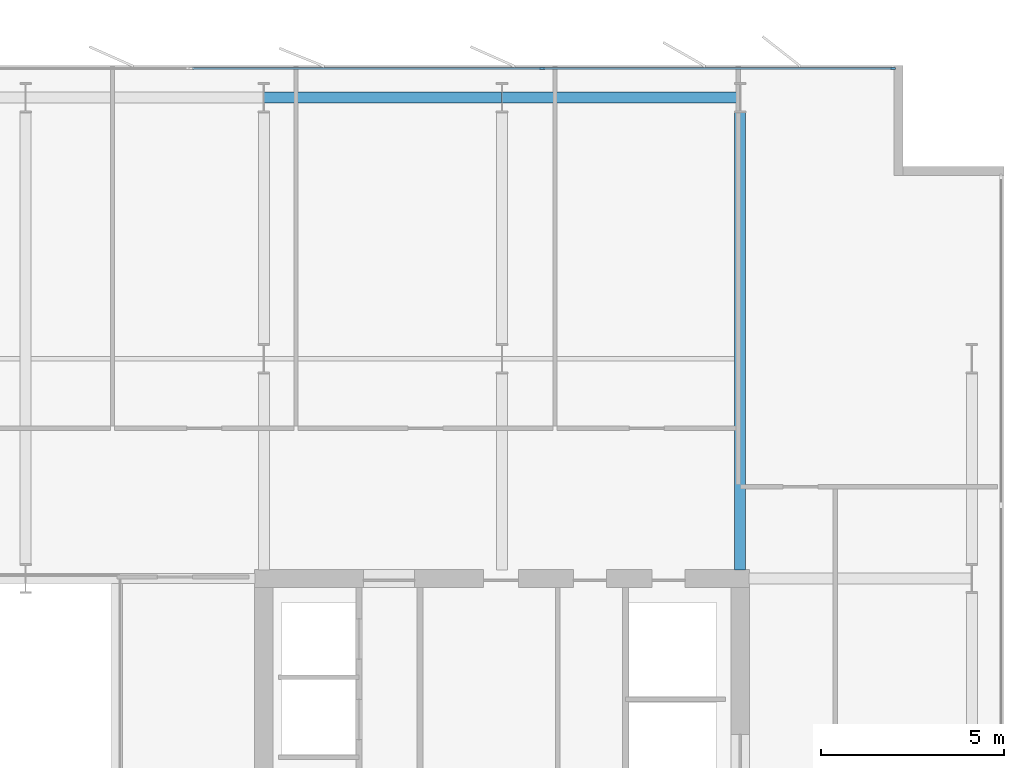
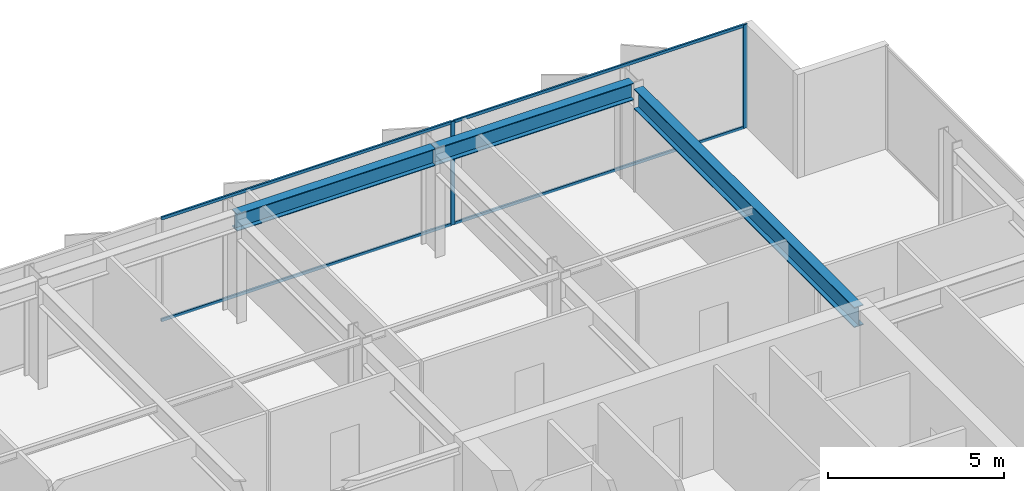
# One storey, part 13 of 23: 6 members, 3 beams, 1 element without a shape of its own.
"""IFC4 building model written with IfcOpenShell, lengths in metres."""

from ifc_helpers import new_model, si_unit, direction, frame, origin, origin_2d, place, context, subcontext, project, spatial, rectangle, i_section, extrude, material, layer, layer_set, material_profile, profile_set, type_object, element, aggregate, save


model = new_model("IFC4")

# Units and contexts
model_context = context("Model", 3, precision=1e-05, world=origin(), true_north=direction((0.0, 1.0)))
body_context = subcontext(model_context, "Body", "Model", "MODEL_VIEW")
ifc_project = project(units=[si_unit("LENGTHUNIT", "METRE"), si_unit("AREAUNIT", "SQUARE_METRE"), si_unit("VOLUMEUNIT", "CUBIC_METRE"), si_unit("PLANEANGLEUNIT", "RADIAN"), si_unit("MASSUNIT", "GRAM", prefix="KILO")], contexts=[model_context])

# Site, building, storey
site_placement = place(None, origin())
site = spatial("IfcSite", under=ifc_project, at=site_placement, CompositionType="ELEMENT")
building_placement = place(site_placement, origin())
building = spatial("IfcBuilding", under=site, at=building_placement, Name="Putna Gate Headquarters", CompositionType="ELEMENT")
storey_placement = place(building_placement, frame((0.0, 0.0, 232.800048828125)))
storey = spatial("IfcBuildingStorey", under=building, at=storey_placement, Name="L58", CompositionType="ELEMENT", Elevation=232.800048828125)

# Beams
ifc_material_1 = material(Name="Steel S355J2", Category="steel")
ifc_material_profile_1 = material_profile(ifc_material_1, i_section(OverallWidth=0.300048828125, OverallDepth=0.699951171875, WebThickness=0.01708984375, FlangeThickness=0.031982421875, at=origin_2d()), Name="Steel S355J2")
ifc_profile_set_1 = profile_set([ifc_material_profile_1], Name="Steel S355J2")
beam_type_1 = type_object("IfcBeamType", Name="BM-GIRD-B-HEB700", PredefinedType="USERDEFINED", material=ifc_profile_set_1)
beam_placement = place(storey_placement, frame((65.0, 33.235107421875, 3.22998046875), z_axis=(0.0, 1.0, 0.0), x_axis=(-1.0, 0.0, 0.0)))
element("IfcBeam", 1, at=beam_placement, inside=storey, type_object=beam_type_1, Name="L58 North Primary Girder X65", ObjectType="GIRDER", PredefinedType="USERDEFINED", context=body_context, shape_type="SweptSolid", body=[
    extrude(i_section(OverallWidth=0.300048828125, OverallDepth=0.699951171875, WebThickness=0.01708984375, FlangeThickness=0.031982421875, at=origin_2d()), origin(), (0.0, 0.0, 1.0), 12.489990234375),
])
ifc_material_profile_2 = material_profile(ifc_material_1, i_section(OverallWidth=0.300048828125, OverallDepth=0.590087890625, WebThickness=0.012939453125, FlangeThickness=0.02490234375, at=origin_2d()), Name="Steel S355J2")
ifc_profile_set_2 = profile_set([ifc_material_profile_2], Name="Steel S355J2")
beam_type_2 = type_object("IfcBeamType", Name="BM-SPAN-Z4-HEA600", PredefinedType="SPANDREL", material=ifc_profile_set_2)
for number, where, z_axis, x_axis, name in (
    (2, (52.006103515625, 46.1201171875, 3.284912109375), (1.0, 0.0, 0.0), (0.0, 1.0, 0.0), "L58 N Perimeter Spandrel 7"),
    (3, (58.506103515625, 46.1201171875, 3.284912109375), (1.0, 0.0, 0.0), (0.0, 1.0, 0.0), "L58 N Perimeter Spandrel 8"),
):
    element("IfcBeam", number, at=place(storey_placement, frame(where, z_axis=z_axis, x_axis=x_axis)), inside=storey, type_object=beam_type_2, Name=name, PredefinedType="SPANDREL", context=body_context, shape_type="SweptSolid", body=[
        extrude(i_section(OverallWidth=0.300048828125, OverallDepth=0.590087890625, WebThickness=0.012939453125, FlangeThickness=0.02490234375, at=origin_2d()), origin(), (0.0, 0.0, 1.0), 6.48779296875),
    ])

# Curtain wall, members
ifc_material_2 = material(Name="Anodised bronze aluminium curtain wall", Category="aluminium")
ifc_layer = layer(ifc_material_2, 0.139892578125)
ifc_layer_set = layer_set([ifc_layer], Name="Anodised bronze aluminium curtain wall")
curtain_wall_type = type_object("IfcCurtainWallType", Name="CW-SYS-Z4", PredefinedType="USERDEFINED", material=ifc_layer_set)
curtain_wall_placement = place(storey_placement, origin())
curtain_wall = element("IfcCurtainWall", 4, at=curtain_wall_placement, inside=storey, type_object=curtain_wall_type, Name="L58 North East Curtain Wall", ObjectType="STICK CURTAIN WALL", PredefinedType="USERDEFINED")
ifc_material_3 = material(Name="Anodised bronze aluminium EN AW-6060", Category="aluminium")
ifc_material_profile_3 = material_profile(ifc_material_3, rectangle(XDim=0.06005859375, YDim=0.139892578125, at=origin_2d()), Name="Anodised bronze aluminium EN AW-6060")
ifc_profile_set_3 = profile_set([ifc_material_profile_3], Name="Anodised bronze aluminium EN AW-6060")
member_type_1 = type_object("IfcMemberType", Name="MULL-CWM-4", PredefinedType="MULLION", material=ifc_profile_set_3)
member_1_placement = place(storey_placement, frame((59.60009765625, 46.919921875, 0.0), z_axis=(0.0, 0.0, 1.0), x_axis=(0.0, 1.0, 0.0)))
member_1 = element("IfcMember", 5, at=member_1_placement, type_object=member_type_1, Name="CWS-4 mullion 2", PredefinedType="MULLION", context=body_context, shape_type="SweptSolid", body=[
    extrude(rectangle(XDim=0.06005859375, YDim=0.139892578125, at=origin_2d()), origin(), (0.0, 0.0, 1.0), 3.579833984375),
])
member_2_placement = place(storey_placement, frame((69.169921875, 46.919921875, 0.0), z_axis=(0.0, 0.0, 1.0), x_axis=(0.0, 1.0, 0.0)))
member_2 = element("IfcMember", 6, at=member_2_placement, type_object=member_type_1, Name="CWS-4 mullion 3", PredefinedType="MULLION", context=body_context, shape_type="SweptSolid", body=[
    extrude(rectangle(XDim=0.06005859375, YDim=0.139892578125, at=origin_2d()), origin(), (0.0, 0.0, 1.0), 3.579833984375),
])
ifc_material_profile_4 = material_profile(ifc_material_3, rectangle(XDim=0.06005859375, YDim=0.10009765625, at=origin_2d()), Name="Anodised bronze aluminium EN AW-6060")
ifc_profile_set_4 = profile_set([ifc_material_profile_4], Name="Anodised bronze aluminium EN AW-6060")
member_type_2 = type_object("IfcMemberType", Name="TRAN-CWT-4", PredefinedType="USERDEFINED", material=ifc_profile_set_4)
member_3_placement = place(storey_placement, frame((50.06005859375, 46.919921875, 0.030029296875), z_axis=(1.0, 0.0, 0.0), x_axis=(0.0, 1.0, 0.0)))
member_3 = element("IfcMember", 7, at=member_3_placement, type_object=member_type_2, Name="CWS-4 transom 1.1", ObjectType="TRANSOM", PredefinedType="USERDEFINED", context=body_context, shape_type="SweptSolid", body=[
    extrude(rectangle(XDim=0.06005859375, YDim=0.10009765625, at=origin_2d()), origin(), (0.0, 0.0, 1.0), 9.510009765625),
])
member_4_placement = place(storey_placement, frame((50.06005859375, 46.919921875, 3.550048828125), z_axis=(1.0, 0.0, 0.0), x_axis=(0.0, 1.0, 0.0)))
member_4 = element("IfcMember", 8, at=member_4_placement, type_object=member_type_2, Name="CWS-4 transom 1.2", ObjectType="TRANSOM", PredefinedType="USERDEFINED", context=body_context, shape_type="SweptSolid", body=[
    extrude(rectangle(XDim=0.06005859375, YDim=0.10009765625, at=origin_2d()), origin(), (0.0, 0.0, 1.0), 9.510009765625),
])
member_5_placement = place(storey_placement, frame((59.6298828125, 46.919921875, 0.030029296875), z_axis=(1.0, 0.0, 0.0), x_axis=(0.0, 1.0, 0.0)))
member_5 = element("IfcMember", 9, at=member_5_placement, type_object=member_type_2, Name="CWS-4 transom 2.1", ObjectType="TRANSOM", PredefinedType="USERDEFINED", context=body_context, shape_type="SweptSolid", body=[
    extrude(rectangle(XDim=0.06005859375, YDim=0.10009765625, at=origin_2d()), origin(), (0.0, 0.0, 1.0), 9.510009765625),
])
member_6_placement = place(storey_placement, frame((59.6298828125, 46.919921875, 3.550048828125), z_axis=(1.0, 0.0, 0.0), x_axis=(0.0, 1.0, 0.0)))
member_6 = element("IfcMember", 10, at=member_6_placement, type_object=member_type_2, Name="CWS-4 transom 2.2", ObjectType="TRANSOM", PredefinedType="USERDEFINED", context=body_context, shape_type="SweptSolid", body=[
    extrude(rectangle(XDim=0.06005859375, YDim=0.10009765625, at=origin_2d()), origin(), (0.0, 0.0, 1.0), 9.510009765625),
])
aggregate(curtain_wall, [member_1, member_2, member_3, member_4, member_5, member_6])

save(model, "model.ifc")
